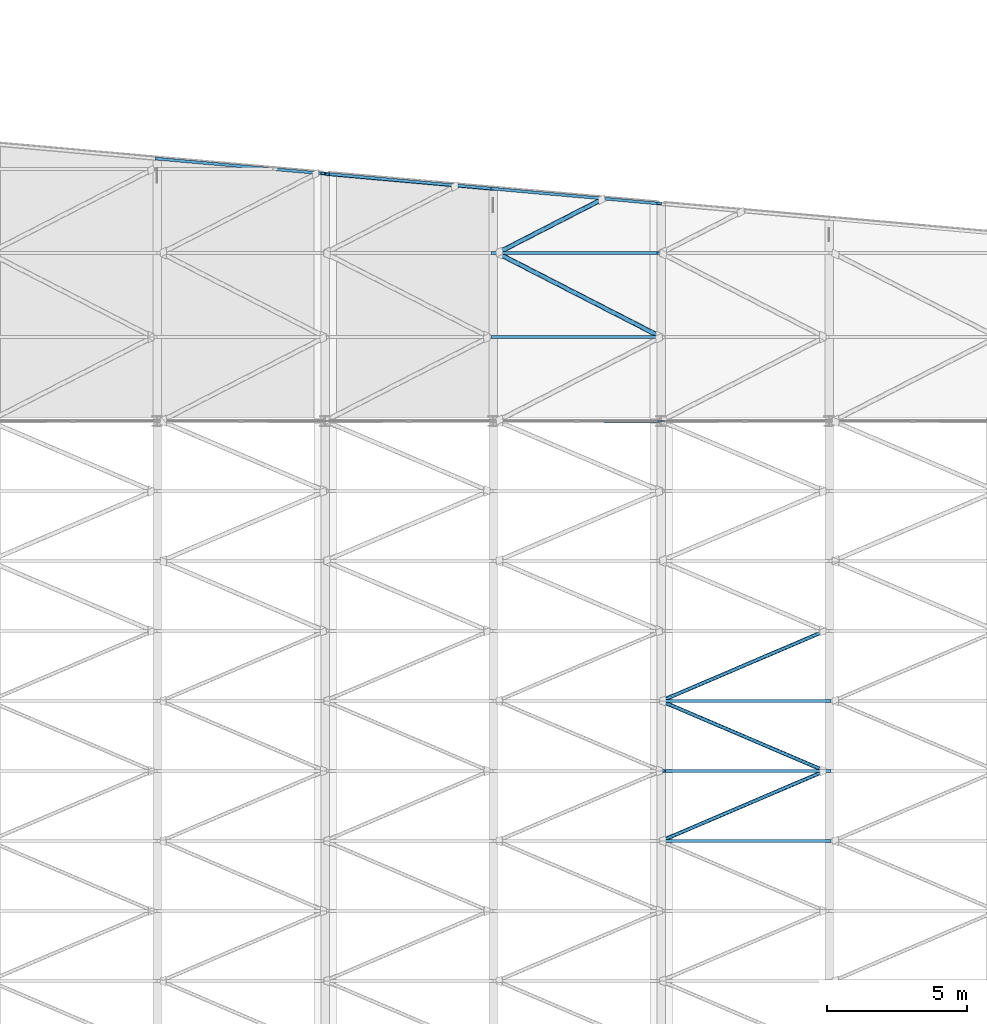
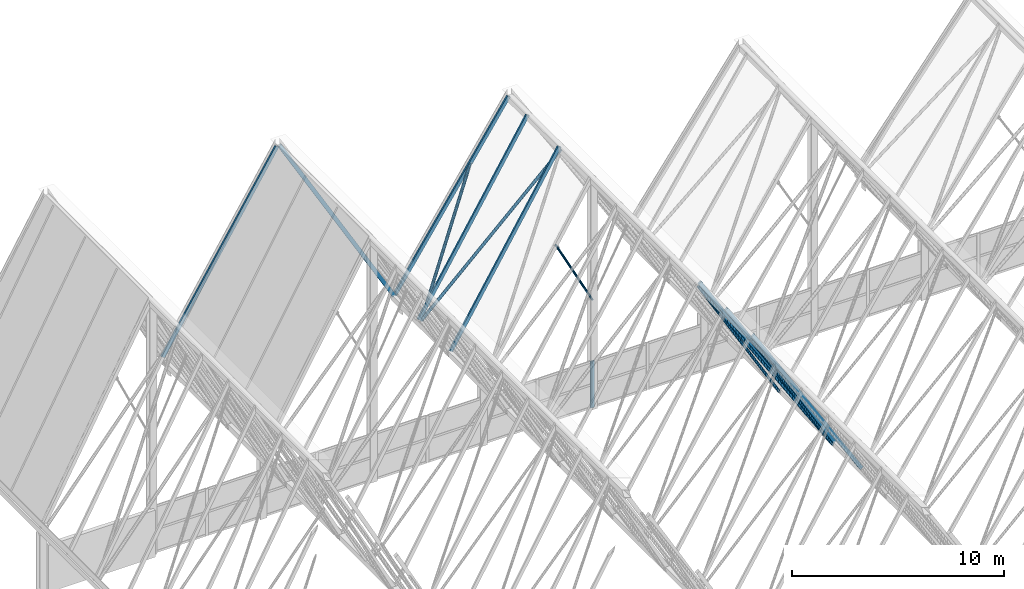
# One storey, part 21 of 483: 13 members, 3 beams, 2 elements without a shape of their own.
"""IFC4 building model written with IfcOpenShell, lengths in metres."""

from ifc_helpers import new_model, si_unit, direction, frame, origin, origin_2d, place, context, subcontext, project, spatial, rectangle, hollow_rectangle, hollow_circle, extrude, material, material_profile, profile_set, type_object, element, aggregate, save


model = new_model("IFC4")

# Units and contexts
model_context = context("Model", 3, precision=1e-05, world=origin(), true_north=direction((0.0, 1.0)))
body_context = subcontext(model_context, "Body", "Model", "MODEL_VIEW")
ifc_project = project(units=[si_unit("LENGTHUNIT", "METRE"), si_unit("AREAUNIT", "SQUARE_METRE"), si_unit("VOLUMEUNIT", "CUBIC_METRE"), si_unit("PLANEANGLEUNIT", "RADIAN"), si_unit("MASSUNIT", "GRAM", prefix="KILO")], contexts=[model_context])

# Site, building, storey
site_placement = place(None, origin())
site = spatial("IfcSite", under=ifc_project, at=site_placement, CompositionType="ELEMENT")
building_placement = place(site_placement, origin())
building = spatial("IfcBuilding", under=site, at=building_placement, Name="Parallax Yard Mobility Hub", CompositionType="ELEMENT")
storey_placement = place(building_placement, frame((0.0, 0.0, 13.199951171875)))
storey = spatial("IfcBuildingStorey", under=building, at=storey_placement, Name="L04", CompositionType="ELEMENT", Elevation=13.199951171875)

# Member
ifc_material_1 = material(Name="Steel ASTM A500 Gr C", Category="steel")
ifc_material_profile_1 = material_profile(ifc_material_1, hollow_circle(Radius=0.05712890625, WallThickness=0.006103515625, at=origin_2d()), Name="HSS114.3x6.0")
ifc_profile_set_1 = profile_set([ifc_material_profile_1], Name="Steel ASTM A500 Gr C")
member_type_1 = type_object("IfcMemberType", Name="Knee brace HSS114.3x6.0", PredefinedType="BRACE", material=ifc_profile_set_1)
member_1_placement = place(storey_placement, frame((39.0, 52.5, 6.2001953125), z_axis=(-0.460015544086, 0.0, 0.887910862193), x_axis=(0.0, -1.0, 0.0)))
element("IfcMember", 1, at=member_1_placement, inside=storey, type_object=member_type_1, Name="Gable knee brace F6 north west", PredefinedType="BRACE", context=body_context, shape_type="SweptSolid", body=[
    extrude(hollow_circle(Radius=0.05712890625, WallThickness=0.006103515625, at=origin_2d()), origin(), (0.0, 0.0, 1.0), 4.34765625),
])

# Curtain wall, member
ifc_material_2 = material(Name="Thermally broken aluminium curtain wall system", Category="aluminium")
curtain_wall_type = type_object("IfcCurtainWallType", Name="Curtain wall run 60 x 160 frame", PredefinedType="NOTDEFINED", material=ifc_material_2)
curtain_wall_1_placement = place(storey_placement, origin())
curtain_wall_1 = element("IfcCurtainWall", 2, at=curtain_wall_1_placement, inside=storey, type_object=curtain_wall_type, Name="Glazed gable end Bus and taxi deck north gable bay 5 level L04", PredefinedType="NOTDEFINED")
ifc_material_3 = material(Name="Extruded aluminium", Category="aluminium")
ifc_material_profile_2 = material_profile(ifc_material_3, rectangle(XDim=0.06005859375, YDim=0.159912109375, at=origin_2d()), Name="Mullion 60 x 160")
ifc_profile_set_2 = profile_set([ifc_material_profile_2], Name="Extruded aluminium")
member_type_2 = type_object("IfcMemberType", Name="Mullion 60 x 160", PredefinedType="MULLION", material=ifc_profile_set_2)
member_2_placement = place(storey_placement, frame((38.969970703125, 52.5, 0.0), z_axis=(0.0, 0.0, 1.0), x_axis=(0.0, 1.0, 0.0)))
member_2 = element("IfcMember", 3, at=member_2_placement, type_object=member_type_2, Name="CW1 mullion 3", PredefinedType="MULLION", context=body_context, shape_type="SweptSolid", body=[
    extrude(rectangle(XDim=0.06005859375, YDim=0.159912109375, at=origin_2d()), origin(), (0.0, 0.0, 1.0), 2.68994140625),
])
aggregate(curtain_wall_1, [member_2])

curtain_wall_2_placement = place(storey_placement, origin())
curtain_wall_2 = element("IfcCurtainWall", 4, at=curtain_wall_2_placement, inside=storey, type_object=curtain_wall_type, Name="Glazed gable end Bus and taxi deck north gable bay 6 level L04", PredefinedType="NOTDEFINED")
member_3_placement = place(storey_placement, frame((39.030029296875, 52.5, 0.0), z_axis=(0.0, 0.0, 1.0), x_axis=(0.0, 1.0, 0.0)))
member_3 = element("IfcMember", 5, at=member_3_placement, type_object=member_type_2, Name="CW1 mullion 1", PredefinedType="MULLION", context=body_context, shape_type="SweptSolid", body=[
    extrude(rectangle(XDim=0.06005859375, YDim=0.159912109375, at=origin_2d()), origin(), (0.0, 0.0, 1.0), 2.68994140625),
])
aggregate(curtain_wall_2, [member_3])

# Members
ifc_material_profile_3 = material_profile(ifc_material_1, hollow_circle(Radius=0.06982421875, WallThickness=0.00634765625, at=origin_2d()), Name="HSS139.7x6.4")
ifc_profile_set_3 = profile_set([ifc_material_profile_3], Name="Steel ASTM A500 Gr C")
member_type_3 = type_object("IfcMemberType", Name="Plate diagonal HSS139.7x6.4", PredefinedType="BRACE", material=ifc_profile_set_3)
for number, where, z_axis, x_axis, name in (
    (6, (39.0, 37.5, 13.01513671875), (0.507735199294, 0.217067820673, -0.833718494833), (-0.393103707527, 0.919494140888, 0.0), "Plate diagonal plate F6-F7 bay 13"),
    (7, (44.84765625, 40.0, 3.4130859375), (-0.507735199294, 0.217067820673, 0.833718494833), (-0.393103707527, -0.919494140888, 0.0), "Plate diagonal plate F6-F7 bay 14"),
    (8, (39.0, 42.5, 13.01513671875), (0.507735199294, 0.217067820673, -0.833718494833), (-0.393103707527, 0.919494140888, 0.0), "Plate diagonal plate F6-F7 bay 15"),
):
    element("IfcMember", number, at=place(storey_placement, frame(where, z_axis=z_axis, x_axis=x_axis)), inside=storey, type_object=member_type_3, Name=name, PredefinedType="BRACE", context=body_context, shape_type="SweptSolid", body=[
        extrude(hollow_circle(Radius=0.06982421875, WallThickness=0.00634765625, at=origin_2d()), origin(), (0.0, 0.0, 1.0), 11.51708984375),
    ])
ifc_material_profile_4 = material_profile(ifc_material_1, hollow_circle(Radius=0.084228515625, WallThickness=0.007080078125, at=origin_2d()), Name="HSS168.3x7.1")
ifc_profile_set_4 = profile_set([ifc_material_profile_4], Name="Steel ASTM A500 Gr C")
member_type_4 = type_object("IfcMemberType", Name="Plate diagonal HSS168.3x7.1", PredefinedType="BRACE", material=ifc_profile_set_4)
member_4_placement = place(storey_placement, frame((39.0, 55.5, 13.01513671875), z_axis=(-0.502552436924, 0.25782249269, -0.825208222454), x_axis=(-0.456461439155, -0.889743195852, 0.0)))
element("IfcMember", 9, at=member_4_placement, inside=storey, type_object=member_type_4, Name="Plate diagonal plate F5-F6 bay 20", PredefinedType="BRACE", context=body_context, shape_type="SweptSolid", body=[
    extrude(hollow_circle(Radius=0.084228515625, WallThickness=0.007080078125, at=origin_2d()), origin(), (0.0, 0.0, 1.0), 11.635986328125),
])
member_5_placement = place(storey_placement, frame((33.15234375, 58.5, 3.4130859375), z_axis=(0.484915468567, 0.24878108945, 0.838430055447), x_axis=(-0.456471346853, 0.889738112875, 0.0)))
element("IfcMember", 10, at=member_5_placement, inside=storey, type_object=member_type_4, Name="Plate diagonal plate F5-F6 bay 21", PredefinedType="BRACE", context=body_context, shape_type="SweptSolid", body=[
    extrude(hollow_circle(Radius=0.084228515625, WallThickness=0.007080078125, at=origin_2d()), origin(), (0.0, 0.0, 1.0), 7.818359375),
])

# Beams
ifc_material_profile_5 = material_profile(ifc_material_1, hollow_rectangle(XDim=0.1015625, YDim=0.203125, WallThickness=0.00634765625, at=origin_2d()), Name="HSS203x102x6.4")
ifc_profile_set_5 = profile_set([ifc_material_profile_5], Name="Steel ASTM A500 Gr C")
beam_type = type_object("IfcBeamType", Name="Roof edge beam HSS203x102x6.4", PredefinedType="SPANDREL", material=ifc_profile_set_5)
beam_1_placement = place(storey_placement, frame((27.064208984375, 61.319091796875, 13.905517578125), z_axis=(0.494736040631, -0.044150262228, -0.867921081923), x_axis=(0.021830770197, 0.999024901032, -0.038375312267)))
element("IfcBeam", 11, at=beam_1_placement, inside=storey, type_object=beam_type, Name="Edge beam plate F4-F5 north prow edge", PredefinedType="SPANDREL", context=body_context, shape_type="SweptSolid", body=[
    extrude(hollow_rectangle(XDim=0.1015625, YDim=0.203125, WallThickness=0.00634765625, at=origin_2d()), origin(), (0.0, 0.0, 1.0), 11.9609375),
])
beam_2_placement = place(storey_placement, frame((33.016845703125, 60.803466796875, 3.52001953125), z_axis=(0.519563519863, -0.046408739191, 0.853170544355), x_axis=(0.024165684873, 0.998922533483, 0.03962059785)))
element("IfcBeam", 12, at=beam_2_placement, inside=storey, type_object=beam_type, Name="Edge beam plate F5-F6 north prow edge", PredefinedType="SPANDREL", context=body_context, shape_type="SweptSolid", body=[
    extrude(hollow_rectangle(XDim=0.1015625, YDim=0.203125, WallThickness=0.00634765625, at=origin_2d()), origin(), (0.0, 0.0, 1.0), 11.389404296875),
])
beam_3_placement = place(storey_placement, frame((21.018310546875, 61.874755859375, 3.5244140625), z_axis=(0.494735594683, -0.044170634, 0.867920299593), x_axis=(0.02187172188, 0.999024001255, 0.038375417883)))
element("IfcBeam", 13, at=beam_3_placement, inside=storey, type_object=beam_type, Name="Edge beam plate F3-F4 north prow edge", PredefinedType="SPANDREL", context=body_context, shape_type="SweptSolid", body=[
    extrude(hollow_rectangle(XDim=0.1015625, YDim=0.203125, WallThickness=0.00634765625, at=origin_2d()), origin(), (0.0, 0.0, 1.0), 11.9609375),
])

# Members
ifc_material_profile_6 = material_profile(ifc_material_1, hollow_rectangle(XDim=0.1015625, YDim=0.203125, WallThickness=0.00634765625, at=origin_2d()), Name="HSS203x102x6.4")
ifc_profile_set_6 = profile_set([ifc_material_profile_6], Name="Steel ASTM A500 Gr C")
member_type_5 = type_object("IfcMemberType", Name="Roof rafter HSS203x102x6.4", PredefinedType="RAFTER", material=ifc_profile_set_6)
for number, where, z_axis, x_axis, name in (
    (14, (39.065673828125, 37.5, 13.237060546875), (0.520123935721, 0.0, -0.854090798153), (0.0, 1.0, 0.0), "Roof rafter plate F6-F7 at y 37.5"),
    (15, (39.065673828125, 40.0, 13.237060546875), (0.520123935721, 0.0, -0.854090798153), (0.0, 1.0, 0.0), "Roof rafter plate F6-F7 at y 40"),
    (16, (39.065673828125, 42.5, 13.237060546875), (0.520123935721, 0.0, -0.854090798153), (0.0, 1.0, 0.0), "Roof rafter plate F6-F7 at y 42.5"),
    (17, (33.016845703125, 55.5, 3.52001953125), (0.520123935721, 0.0, 0.854090798153), (0.0, 1.0, 0.0), "Roof rafter plate F5-F6 at y 55.5"),
    (18, (33.016845703125, 58.5, 3.52001953125), (0.520123935721, 0.0, 0.854090798153), (0.0, 1.0, 0.0), "Roof rafter plate F5-F6 at y 58.5"),
):
    element("IfcMember", number, at=place(storey_placement, frame(where, z_axis=z_axis, x_axis=x_axis)), inside=storey, type_object=member_type_5, Name=name, PredefinedType="RAFTER", context=body_context, shape_type="SweptSolid", body=[
        extrude(hollow_rectangle(XDim=0.1015625, YDim=0.203125, WallThickness=0.00634765625, at=origin_2d()), origin(), (0.0, 0.0, 1.0), 11.376953125),
    ])

save(model, "model.ifc")
